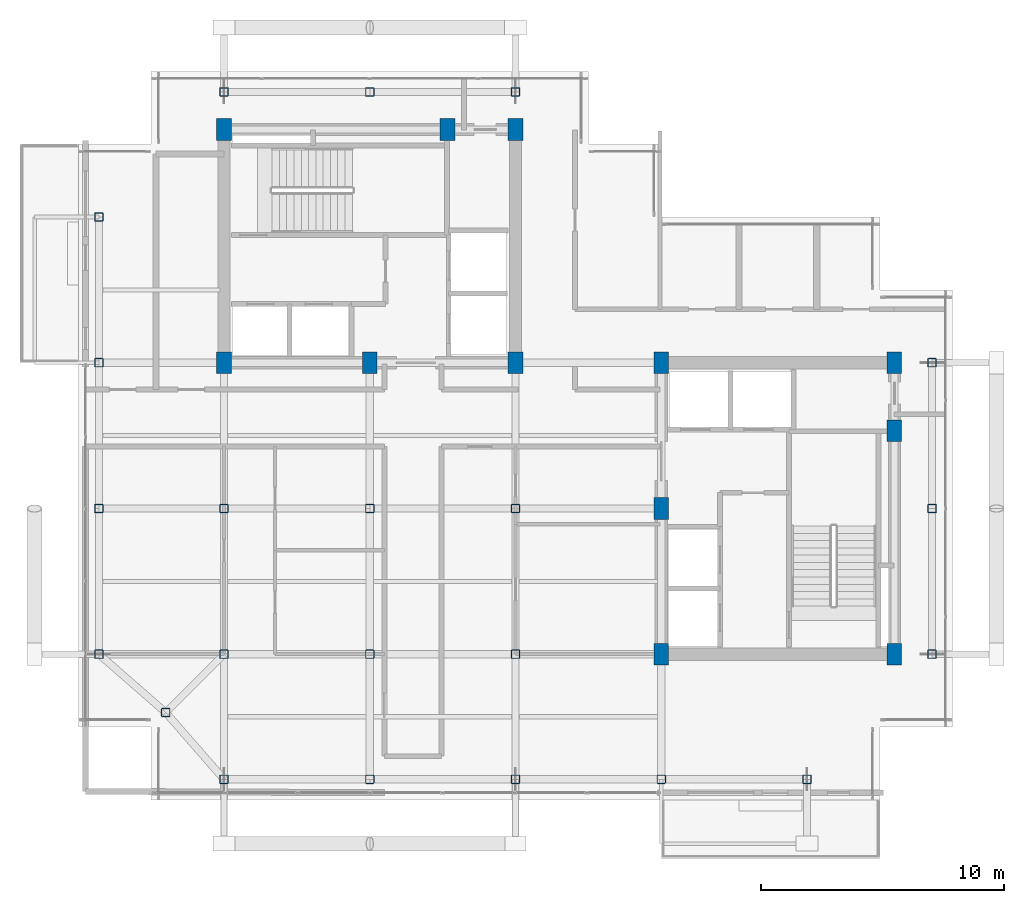
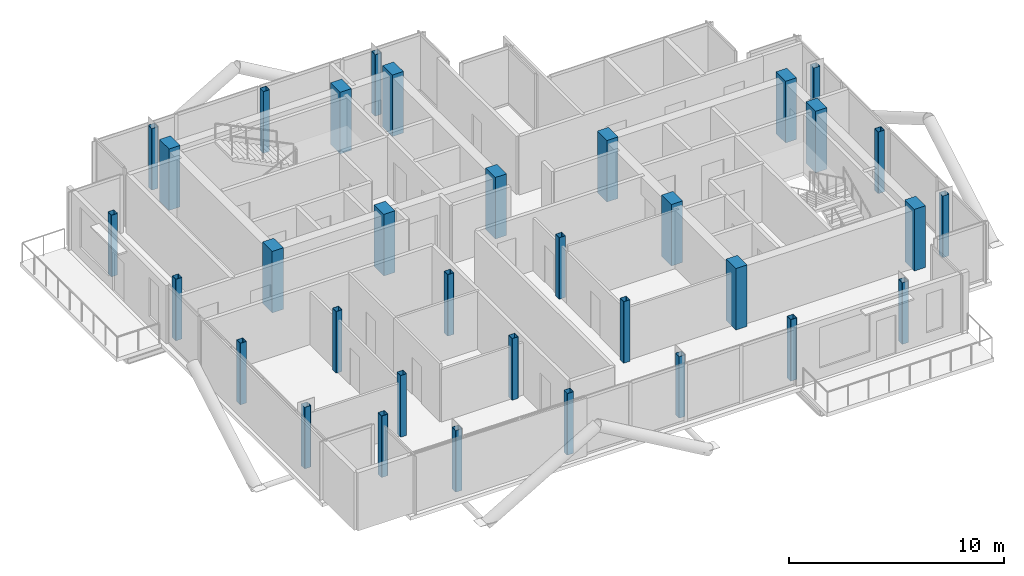
# One storey, part 1 of 19: 34 columns.
"""IFC4 building model written with IfcOpenShell, lengths in metres."""

import ifcopenshell
import ifcopenshell.guid

model = None  # the IFC model being written
_history = None  # IfcOwnerHistory: only IFC2X3 demands one
_inside = {}  # id of a spatial element -> (the spatial element, [elements in it])
_under = {}  # id of a project, library or spatial element -> (it, [spatial elements below it])
_declared = {}  # id of a project -> (the project, [libraries it declares])
_typed = {}  # id of a type object -> (the type object, [elements of that type])
_made_of = {}  # id of a material, layer set ... -> (it, [elements and type objects made of it])


def new_model(schema):
    """Start an empty IFC model of exactly this schema.

    Asked for "IFC4X3", IfcOpenShell would pick the latest addendum, in which some entities
    have other attributes; the version numbers below select the first issue.
    IFC2X3 requires an IfcOwnerHistory on every rooted entity: one is made here for all.
    """
    global model, _history
    if schema == "IFC4X3":
        model = ifcopenshell.file(schema_version=(4, 3, 0, 0))
    else:
        model = ifcopenshell.file(schema=schema)
    _inside.clear()
    _under.clear()
    _declared.clear()
    _typed.clear()
    _made_of.clear()
    _history = None
    if model.schema == "IFC2X3":
        org = make("IfcOrganization", Name="unknown")
        user = make(
            "IfcPersonAndOrganization",
            ThePerson=make("IfcPerson", FamilyName="unknown"),
            TheOrganization=org,
        )
        app = make(
            "IfcApplication",
            ApplicationDeveloper=org,
            Version="unknown",
            ApplicationFullName="unknown",
            ApplicationIdentifier="unknown",
        )
        _history = make(
            "IfcOwnerHistory",
            OwningUser=user,
            OwningApplication=app,
            ChangeAction="ADDED",
            CreationDate=0,
        )
    return model


def make(cls, **values):
    """One entity of the class cls with the attributes given. An attribute that is None is left unset."""
    return model.create_entity(
        cls, **{name: value for name, value in values.items() if value is not None}
    )


def rooted(cls, **values):
    """An entity with a GlobalId (a new one), such as an element, a storey or a relation."""
    return make(cls, GlobalId=ifcopenshell.guid.new(), OwnerHistory=_history, **values)


def si_unit(unit_type, name, prefix=None):
    """IfcSIUnit, for example si_unit("LENGTHUNIT", "METRE", prefix="MILLI")."""
    return make("IfcSIUnit", UnitType=unit_type, Prefix=prefix, Name=name)


def assignment(units):
    """IfcUnitAssignment: the units of a project."""
    return None if units is None else make("IfcUnitAssignment", Units=units)


def point(xyz):
    """IfcCartesianPoint."""
    return None if xyz is None else make("IfcCartesianPoint", Coordinates=xyz)


def direction(xyz):
    """IfcDirection."""
    return None if xyz is None else make("IfcDirection", DirectionRatios=xyz)


def frame(location, z_axis=None, x_axis=None):
    """IfcAxis2Placement3D, a coordinate frame: its origin and axes. An axis left out is left unset."""
    return make(
        "IfcAxis2Placement3D",
        Location=point(location),
        Axis=direction(z_axis),
        RefDirection=direction(x_axis),
    )


def frame_2d(location, x_axis=None):
    """IfcAxis2Placement2D, a coordinate frame in the plane: its origin and x axis."""
    return make(
        "IfcAxis2Placement2D", Location=point(location), RefDirection=direction(x_axis)
    )


def origin():
    """The frame at (0, 0, 0) with its axes left unset."""
    return frame((0.0, 0.0, 0.0))


def origin_2d():
    """The frame at (0, 0) in the plane with its x axis left unset."""
    return frame_2d((0.0, 0.0))


def place(relative_to, where):
    """IfcLocalPlacement: puts the frame where relative to a parent placement (None: the world)."""
    return make(
        "IfcLocalPlacement", PlacementRelTo=relative_to, RelativePlacement=where
    )


def context(
    kind, dimensions, precision=None, world=None, true_north=None, identifier=None
):
    """IfcGeometricRepresentationContext, for example the 3D "Model" context."""
    return make(
        "IfcGeometricRepresentationContext",
        ContextIdentifier=identifier,
        ContextType=kind,
        CoordinateSpaceDimension=dimensions,
        Precision=precision,
        WorldCoordinateSystem=world,
        TrueNorth=true_north,
    )


def subcontext(parent, identifier, kind, view, scale=None):
    """IfcGeometricRepresentationSubContext, for example "Body" below "Model"."""
    return make(
        "IfcGeometricRepresentationSubContext",
        ContextIdentifier=identifier,
        ContextType=kind,
        ParentContext=parent,
        TargetScale=scale,
        TargetView=view,
    )


def project(units=None, contexts=None):
    """IfcProject with its units and contexts."""
    return rooted(
        "IfcProject",
        Name="project",
        RepresentationContexts=contexts,
        UnitsInContext=assignment(units),
    )


def spatial(cls, under=None, at=None, **own):
    """A site, building, storey or space (cls), placed at a placement, below another one or the project."""
    s = rooted(cls, ObjectPlacement=at, **own)
    if under is not None:
        _under.setdefault(under.id(), (under, []))[1].append(s)
    return s


def profile(cls, at=None, kind="AREA", **sizes):
    """A parametric profile (cls). Its sizes go by their IFC names, for example OverallWidth=200.0."""
    return make(cls, ProfileType=kind, Position=at, **sizes)


def rectangle(**sizes):
    """IfcRectangleProfileDef."""
    return profile("IfcRectangleProfileDef", **sizes)


def hollow_rectangle(**sizes):
    """IfcRectangleHollowProfileDef."""
    return profile("IfcRectangleHollowProfileDef", **sizes)


def extrude(swept, where, along, depth):
    """IfcExtrudedAreaSolid: the profile swept, set in the frame where, extruded along a direction by depth."""
    return make(
        "IfcExtrudedAreaSolid",
        SweptArea=swept,
        Position=where,
        ExtrudedDirection=direction(along),
        Depth=depth,
    )


def shape(context_of_items, identifier, shape_type, items):
    """IfcShapeRepresentation: the items that make up one representation, for example the "Body"."""
    return make(
        "IfcShapeRepresentation",
        ContextOfItems=context_of_items,
        RepresentationIdentifier=identifier,
        RepresentationType=shape_type,
        Items=items,
    )


def material(Name=None, Category=None):
    """IfcMaterial."""
    return make("IfcMaterial", Name=Name, Category=Category)


def material_profile(
    of_material, cross_section, Name=None, Category=None, Priority=None
):
    """IfcMaterialProfile: a cross section and its material."""
    return make(
        "IfcMaterialProfile",
        Name=Name,
        Material=of_material,
        Profile=cross_section,
        Priority=Priority,
        Category=Category,
    )


def profile_set(profiles, Name=None, composite=None):
    """IfcMaterialProfileSet."""
    return make(
        "IfcMaterialProfileSet",
        Name=Name,
        MaterialProfiles=profiles,
        CompositeProfile=composite,
    )


def made_of(thing, what):
    """Note that an element or type object is made of a material, layer set ...; save() writes the relation."""
    if what is not None:
        _made_of.setdefault(what.id(), (what, []))[1].append(thing)
    return thing


def type_object(cls, material=None, **own):
    """A type object (cls), such as IfcWallType, which elements share."""
    return made_of(rooted(cls, **own), material)


def element(
    cls,
    number,
    at=None,
    inside=None,
    cuts=None,
    type_object=None,
    material=None,
    context=None,
    identifier="Body",
    shape_type=None,
    held_by="IfcProductDefinitionShape",
    body=None,
    shapes=None,
    **own,
):
    """One element of the class cls, such as IfcWall. Its Tag is "e" and its number.

    at: its placement. inside: the storey or other place that contains it. cuts: it is an
    opening in that element (IfcRelVoidsElement). A single representation is given by context,
    identifier, shape_type and body (its items); several are given by shapes. held_by: the class
    of the entity that holds the representations. save() writes the other relations.
    """
    e = rooted(cls, Tag="e%d" % number, ObjectPlacement=at, **own)
    if body is not None:
        shapes = [shape(context, identifier, shape_type, body)]
    if shapes is not None:
        e.Representation = make(held_by, Representations=shapes)
    if inside is not None:
        _inside.setdefault(inside.id(), (inside, []))[1].append(e)
    if cuts is not None:
        rooted(
            "IfcRelVoidsElement", RelatingBuildingElement=cuts, RelatedOpeningElement=e
        )
    if type_object is not None:
        _typed.setdefault(type_object.id(), (type_object, []))[1].append(e)
    return made_of(e, material)


def aggregate(whole, parts):
    """IfcRelAggregates: a whole, such as a stair, and the parts it consists of."""
    return rooted("IfcRelAggregates", RelatingObject=whole, RelatedObjects=parts)


def save(model, path):
    """Write the relations noted so far, then the file.

    IfcRelAggregates (storeys below a building ...), IfcRelContainedInSpatialStructure (elements
    in a storey), IfcRelDefinesByType, IfcRelAssociatesMaterial and IfcRelDeclares: one each for
    every whole, place, type object, material and project.
    """
    for whole, parts in _under.values():
        aggregate(whole, parts)
    for where, things in _inside.values():
        rooted(
            "IfcRelContainedInSpatialStructure",
            RelatedElements=things,
            RelatingStructure=where,
        )
    for kind, things in _typed.values():
        rooted("IfcRelDefinesByType", RelatedObjects=things, RelatingType=kind)
    for what, things in _made_of.values():
        rooted("IfcRelAssociatesMaterial", RelatedObjects=things, RelatingMaterial=what)
    for by, libraries in _declared.values():
        rooted("IfcRelDeclares", RelatingContext=by, RelatedDefinitions=libraries)
    model.write(path)


model = new_model("IFC4")

# Units and contexts
model_context = context("Model", 3, precision=1e-05, world=origin(), true_north=direction((0.0, 1.0)))
body_context = subcontext(model_context, "Body", "Model", "MODEL_VIEW")
ifc_project = project(units=[si_unit("LENGTHUNIT", "METRE"), si_unit("AREAUNIT", "SQUARE_METRE"), si_unit("VOLUMEUNIT", "CUBIC_METRE"), si_unit("PLANEANGLEUNIT", "RADIAN"), si_unit("MASSUNIT", "GRAM", prefix="KILO"), si_unit("THERMODYNAMICTEMPERATUREUNIT", "KELVIN"), si_unit("POWERUNIT", "WATT")], contexts=[model_context])

# Site, building, storey
site_placement = place(None, origin())
site = spatial("IfcSite", under=ifc_project, at=site_placement, CompositionType="ELEMENT")
building_placement = place(site_placement, origin())
building = spatial("IfcBuilding", under=site, at=building_placement, Name="Svarakhadi Broadcast Tower", CompositionType="ELEMENT")
storey_placement = place(building_placement, frame((0.0, 0.0, 243.199951171875)))
storey = spatial("IfcBuildingStorey", under=building, at=storey_placement, Name="L60", CompositionType="ELEMENT", Elevation=243.199951171875)

# Columns
ifc_material_1 = material(Name="Concrete C50/60 (IS 456 M60)", Category="concrete")
ifc_material_profile_1 = material_profile(ifc_material_1, rectangle(XDim=0.60009765625, YDim=0.89990234375, at=origin_2d()), Name="RC 600x900")
ifc_profile_set_1 = profile_set([ifc_material_profile_1], Name="Concrete C50/60 (IS 456 M60)")
column_type_1 = type_object("IfcColumnType", Name="Col_RC600", PredefinedType="COLUMN", material=ifc_profile_set_1)
for number, where, z_axis, x_axis, name in (
    (1, (6.0, 18.0, 0.0), (0.0, 0.0, 1.0), (1.0, 0.0, 0.0), "L60 Column CW1"),
    (2, (12.0, 18.0, 0.0), (0.0, 0.0, 1.0), (1.0, 0.0, 0.0), "L60 Column CW2"),
    (3, (18.0, 18.0, 0.0), (0.0, 0.0, 1.0), (1.0, 0.0, 0.0), "L60 Column CW3"),
    (4, (6.0, 27.60009765625, 0.0), (0.0, 0.0, 1.0), (1.0, 0.0, 0.0), "L60 Column CW4"),
    (5, (15.199951171875, 27.60009765625, 0.0), (0.0, 0.0, 1.0), (1.0, 0.0, 0.0), "L60 Column CW5"),
    (6, (18.0, 27.60009765625, 0.0), (0.0, 0.0, 1.0), (1.0, 0.0, 0.0), "L60 Column CW6"),
    (7, (24.0, 6.0, 0.0), (0.0, 0.0, 1.0), (1.0, 0.0, 0.0), "L60 Column CE1"),
    (8, (24.0, 12.0, 0.0), (0.0, 0.0, 1.0), (1.0, 0.0, 0.0), "L60 Column CE2"),
    (9, (24.0, 18.0, 0.0), (0.0, 0.0, 1.0), (1.0, 0.0, 0.0), "L60 Column CE3"),
    (10, (33.60009765625, 6.0, 0.0), (0.0, 0.0, 1.0), (1.0, 0.0, 0.0), "L60 Column CE4"),
    (11, (33.60009765625, 15.199951171875, 0.0), (0.0, 0.0, 1.0), (1.0, 0.0, 0.0), "L60 Column CE5"),
    (12, (33.60009765625, 18.0, 0.0), (0.0, 0.0, 1.0), (1.0, 0.0, 0.0), "L60 Column CE6"),
):
    element("IfcColumn", number, at=place(storey_placement, frame(where, z_axis=z_axis, x_axis=x_axis)), inside=storey, type_object=column_type_1, Name=name, PredefinedType="COLUMN", context=body_context, shape_type="SweptSolid", body=[
        extrude(rectangle(XDim=0.60009765625, YDim=0.89990234375, at=origin_2d()), origin(), (0.0, 0.0, 1.0), 3.5),
    ])
ifc_material_2 = material(Name="Steel S460ML (IS 2062 E450BR)", Category="steel")
ifc_material_profile_2 = material_profile(ifc_material_2, hollow_rectangle(XDim=0.35009765625, YDim=0.35009765625, WallThickness=0.01611328125, InnerFilletRadius=0.01611328125, OuterFilletRadius=0.031982421875, at=origin_2d()), Name="SHS 350x350x16")
ifc_profile_set_2 = profile_set([ifc_material_profile_2], Name="Steel S460ML (IS 2062 E450BR)")
column_type_2 = type_object("IfcColumnType", Name="Col_SHS350", PredefinedType="COLUMN", material=ifc_profile_set_2)
for number, where, z_axis, x_axis, name in (
    (13, (3.60009765625, 3.60009765625, 0.0), (0.0, 0.0, 1.0), (1.0, 0.0, 0.0), "L60 Column G01"),
    (14, (0.85009765625, 6.0, 0.0), (0.0, 0.0, 1.0), (1.0, 0.0, 0.0), "L60 Column G03"),
    (15, (0.85009765625, 12.0, 0.0), (0.0, 0.0, 1.0), (1.0, 0.0, 0.0), "L60 Column G04"),
    (16, (0.85009765625, 18.0, 0.0), (0.0, 0.0, 1.0), (1.0, 0.0, 0.0), "L60 Column G05"),
    (17, (0.85009765625, 24.0, 0.0), (0.0, 0.0, 1.0), (1.0, 0.0, 0.0), "L60 Column G06"),
    (18, (6.0, 0.85009765625, 0.0), (0.0, 0.0, 1.0), (1.0, 0.0, 0.0), "L60 Column G11"),
    (19, (6.0, 6.0, 0.0), (0.0, 0.0, 1.0), (1.0, 0.0, 0.0), "L60 Column G12"),
    (20, (6.0, 12.0, 0.0), (0.0, 0.0, 1.0), (1.0, 0.0, 0.0), "L60 Column G13"),
    (21, (6.0, 29.14990234375, 0.0), (0.0, 0.0, 1.0), (1.0, 0.0, 0.0), "L60 Column G14"),
    (22, (12.0, 0.85009765625, 0.0), (0.0, 0.0, 1.0), (1.0, 0.0, 0.0), "L60 Column G18"),
    (23, (12.0, 6.0, 0.0), (0.0, 0.0, 1.0), (1.0, 0.0, 0.0), "L60 Column G19"),
    (24, (12.0, 12.0, 0.0), (0.0, 0.0, 1.0), (1.0, 0.0, 0.0), "L60 Column G20"),
    (25, (12.0, 29.14990234375, 0.0), (0.0, 0.0, 1.0), (1.0, 0.0, 0.0), "L60 Column G21"),
    (26, (18.0, 0.85009765625, 0.0), (0.0, 0.0, 1.0), (1.0, 0.0, 0.0), "L60 Column G25"),
    (27, (18.0, 6.0, 0.0), (0.0, 0.0, 1.0), (1.0, 0.0, 0.0), "L60 Column G26"),
    (28, (18.0, 12.0, 0.0), (0.0, 0.0, 1.0), (1.0, 0.0, 0.0), "L60 Column G27"),
    (29, (18.0, 29.14990234375, 0.0), (0.0, 0.0, 1.0), (1.0, 0.0, 0.0), "L60 Column G28"),
    (30, (24.0, 0.85009765625, 0.0), (0.0, 0.0, 1.0), (1.0, 0.0, 0.0), "L60 Column G32"),
    (31, (30.0, 0.85009765625, 0.0), (0.0, 0.0, 1.0), (1.0, 0.0, 0.0), "L60 Column G36"),
    (32, (35.14990234375, 6.0, 0.0), (0.0, 0.0, 1.0), (1.0, 0.0, 0.0), "L60 Column G39"),
    (33, (35.14990234375, 12.0, 0.0), (0.0, 0.0, 1.0), (1.0, 0.0, 0.0), "L60 Column G40"),
    (34, (35.14990234375, 18.0, 0.0), (0.0, 0.0, 1.0), (1.0, 0.0, 0.0), "L60 Column G41"),
):
    element("IfcColumn", number, at=place(storey_placement, frame(where, z_axis=z_axis, x_axis=x_axis)), inside=storey, type_object=column_type_2, Name=name, PredefinedType="COLUMN", context=body_context, shape_type="SweptSolid", body=[
        extrude(hollow_rectangle(XDim=0.35009765625, YDim=0.35009765625, WallThickness=0.01611328125, InnerFilletRadius=0.01611328125, OuterFilletRadius=0.031982421875, at=origin_2d()), origin(), (0.0, 0.0, 1.0), 3.5),
    ])

save(model, "model.ifc")
